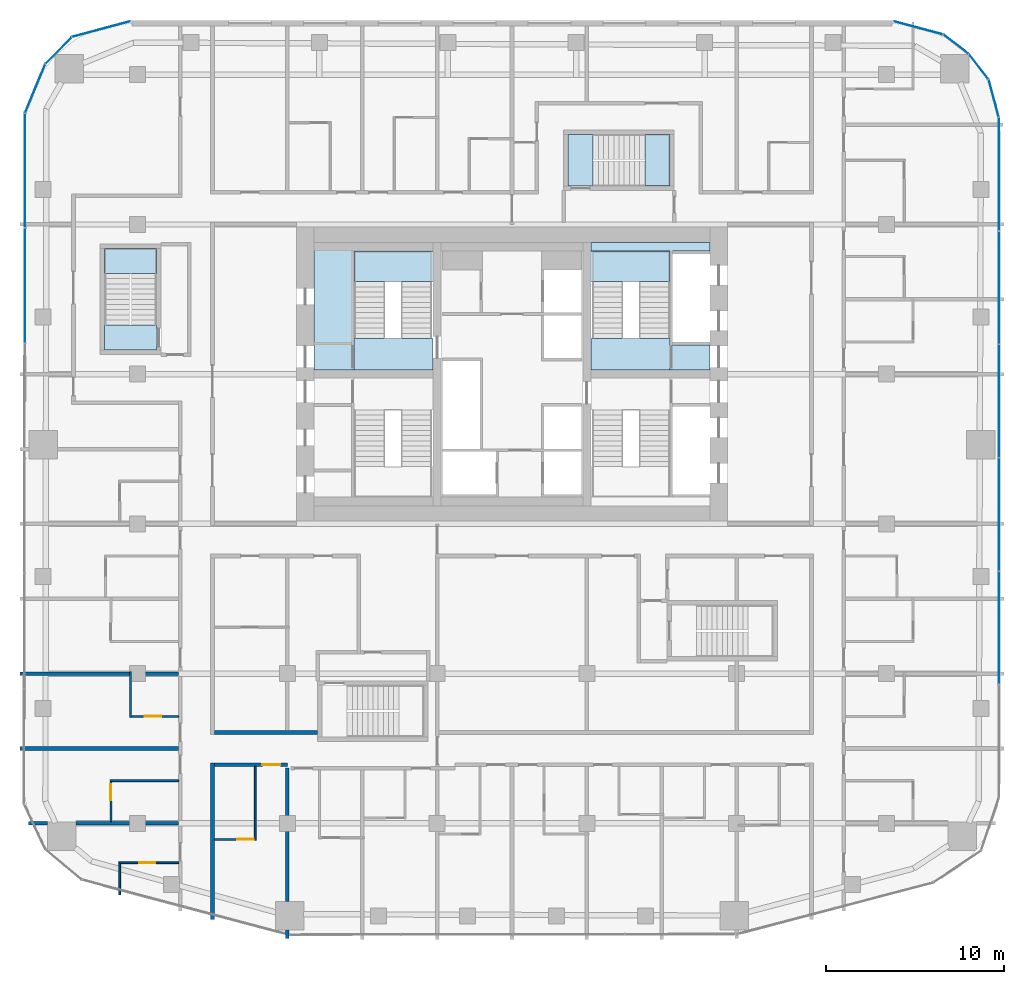
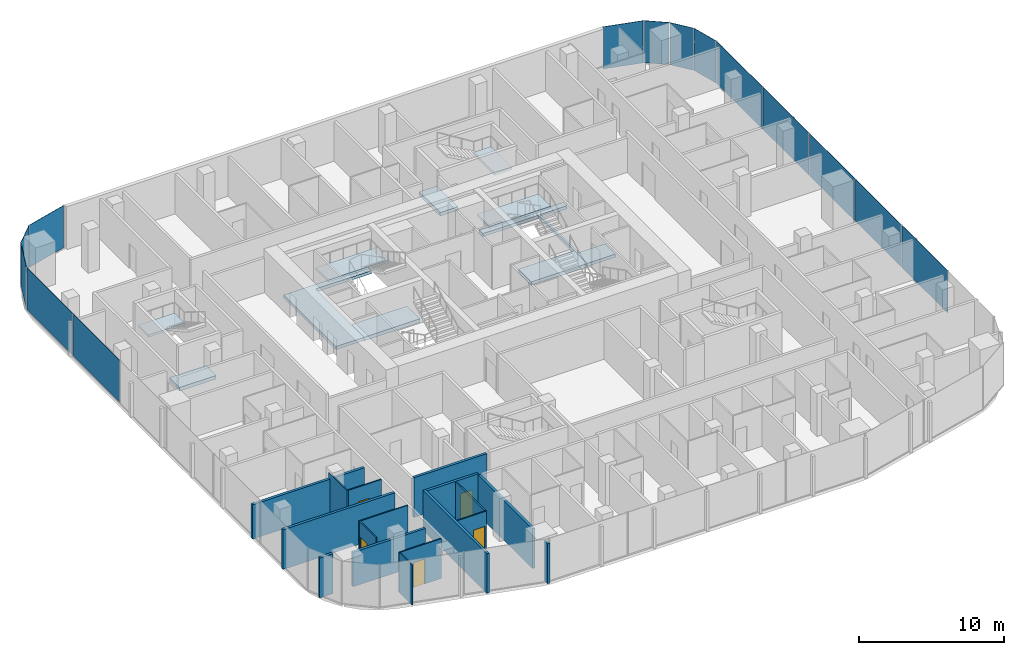
# One storey, part 13 of 23: 17 walls, 14 plates, 10 slabs, 5 doors, 5 openings, 13 elements without a shape of their own.
"""IFC4 building model written with IfcOpenShell, lengths in metres."""

from ifc_helpers import new_model, si_unit, direction, frame, frame_2d, origin, origin_2d, place, context, subcontext, project, spatial, polyline, rectangle, outline, extrude, material, layer, layer_set, type_object, element, fill, aggregate, save


model = new_model("IFC4")

# Units and contexts
model_context = context("Model", 3, precision=1e-05, world=origin(), true_north=direction((0.0, 1.0)))
body_context = subcontext(model_context, "Body", "Model", "MODEL_VIEW")
ifc_project = project(units=[si_unit("LENGTHUNIT", "METRE"), si_unit("AREAUNIT", "SQUARE_METRE"), si_unit("VOLUMEUNIT", "CUBIC_METRE"), si_unit("PLANEANGLEUNIT", "RADIAN"), si_unit("MASSUNIT", "GRAM", prefix="KILO")], contexts=[model_context])

# Site, building, storey
site_placement = place(None, origin())
site = spatial("IfcSite", under=ifc_project, at=site_placement, CompositionType="ELEMENT")
building_placement = place(site_placement, origin())
building = spatial("IfcBuilding", under=site, at=building_placement, Name="Marenta Gate Hotel Tower", CompositionType="ELEMENT")
storey_placement = place(building_placement, frame((0.0, 0.0, 112.10009765625)))
storey = spatial("IfcBuildingStorey", under=building, at=storey_placement, Name="L24", CompositionType="ELEMENT", Elevation=112.10009765625)

# Slabs
ifc_material_1 = material(Name="Concrete C40", Category="concrete")
ifc_layer_1 = layer(ifc_material_1, 0.260009765625)
ifc_layer_set_1 = layer_set([ifc_layer_1], Name="Concrete C40")
slab_type_1 = type_object("IfcSlabType", Name="Core floor slab 260", PredefinedType="FLOOR", material=ifc_layer_set_1)
slab_1_placement = place(storey_placement, frame((0.0, 0.0, -0.260009765625)))
element("IfcSlab", 1, at=slab_1_placement, inside=storey, type_object=slab_type_1, Name="L24-CF-3", PredefinedType="FLOOR", context=body_context, shape_type="SweptSolid", body=[
    extrude(outline(polyline([(8.85009765625, 15.300048828125), (4.425048828125, 15.300048828125), (4.425048828125, 15.800048828125), (11.10009765625, 15.800048828125), (11.10009765625, 15.300048828125), (9.0, 15.300048828125), (9.0, 15.14990234375), (9.0, 12.75), (9.0, 12.60009765625), (9.0, 10.199951171875), (9.0, 10.050048828125), (11.10009765625, 10.050048828125), (11.10009765625, 8.625), (8.85009765625, 8.625), (8.85009765625, 8.699951171875), (8.85009765625, 10.39990234375), (8.85009765625, 15.300048828125)])), origin(), (0.0, 0.0, 1.0), 0.260009765625),
])
slab_2_placement = place(storey_placement, frame((0.0, 0.0, -0.260009765625)))
element("IfcSlab", 2, at=slab_2_placement, inside=storey, type_object=slab_type_1, Name="L24-CF-6", PredefinedType="FLOOR", context=body_context, shape_type="SweptSolid", body=[
    extrude(outline(polyline([(-4.425048828125, 15.300048828125), (-8.85009765625, 15.300048828125), (-8.85009765625, 10.39990234375), (-8.85009765625, 8.699951171875), (-8.85009765625, 8.625), (-11.10009765625, 8.625), (-11.10009765625, 15.800048828125), (-4.425048828125, 15.800048828125), (-4.425048828125, 15.300048828125)])), origin(), (0.0, 0.0, 1.0), 0.260009765625),
])

# Stair, slab
ifc_material_2 = material(Name="Concrete C40", Category="concrete")
stair_type_1 = type_object("IfcStairType", Name="Core exit stair 1700 wide", PredefinedType="HALF_TURN_STAIR", material=ifc_material_2)
stair_1_placement = place(storey_placement, origin())
stair_1 = element("IfcStair", 3, at=stair_1_placement, inside=storey, type_object=stair_type_1, Name="Exit stair 2", PredefinedType="HALF_TURN_STAIR")
ifc_material_3 = material(Name="Concrete C40", Category="concrete")
ifc_layer_2 = layer(ifc_material_3, 0.199951171875)
ifc_layer_set_2 = layer_set([ifc_layer_2], Name="Concrete C40")
slab_type_2 = type_object("IfcSlabType", Name="Core stair landing 200", PredefinedType="LANDING", material=ifc_layer_set_2)
slab_3_placement = place(storey_placement, frame((0.0, 0.0, 1.599853515625)))
slab_3 = element("IfcSlab", 4, at=slab_3_placement, type_object=slab_type_2, Name="SL-200 ST2 landing 1", PredefinedType="LANDING", context=body_context, shape_type="SweptSolid", body=[
    extrude(outline(polyline([(-8.85009765625, 13.590087890625), (-3.97509765625, 13.590087890625), (-3.97509765625, 15.300048828125), (-8.85009765625, 15.300048828125), (-8.85009765625, 13.590087890625)])), origin(), (0.0, 0.0, 1.0), 0.199951171875),
])
aggregate(stair_1, [slab_3])

stair_2_placement = place(storey_placement, origin())
stair_2 = element("IfcStair", 5, at=stair_2_placement, inside=storey, type_object=stair_type_1, Name="Exit stair 4", PredefinedType="HALF_TURN_STAIR")
slab_4_placement = place(storey_placement, frame((0.0, 0.0, 1.599853515625)))
slab_4 = element("IfcSlab", 6, at=slab_4_placement, type_object=slab_type_2, Name="SL-200 ST4 landing 1", PredefinedType="LANDING", context=body_context, shape_type="SweptSolid", body=[
    extrude(outline(polyline([(3.97509765625, 13.590087890625), (8.85009765625, 13.590087890625), (8.85009765625, 15.300048828125), (3.97509765625, 15.300048828125), (3.97509765625, 13.590087890625)])), origin(), (0.0, 0.0, 1.0), 0.199951171875),
])
aggregate(stair_2, [slab_4])

# Curtain wall, plate
ifc_material_4 = material(Name="Tinted insulated glass in bronze anodised frame", Category="glass")
ifc_layer_3 = layer(ifc_material_4, 0.1201171875)
ifc_layer_set_3 = layer_set([ifc_layer_3], Name="Tinted insulated glass in bronze anodised frame")
curtain_wall_type = type_object("IfcCurtainWallType", Name="Tower unitised curtain wall CW1", PredefinedType="NOTDEFINED", material=ifc_layer_set_3)
curtain_wall_1_placement = place(storey_placement, origin())
curtain_wall_1 = element("IfcCurtainWall", 7, at=curtain_wall_1_placement, inside=storey, type_object=curtain_wall_type, Name="CW1 run G00", PredefinedType="NOTDEFINED")
ifc_material_5 = material(Name="Tinted insulated glass", Category="glass")
ifc_layer_4 = layer(ifc_material_5, 0.028076171875)
ifc_layer_set_4 = layer_set([ifc_layer_4], Name="Tinted insulated glass")
plate_type = type_object("IfcPlateType", Name="Glass panel CW1 28 mm tinted insulated unit", PredefinedType="CURTAIN_PANEL", material=ifc_layer_set_4)
plate_1_placement = place(storey_placement, frame((-23.04052734375, 27.759765625, 0.059814453125), z_axis=(0.0, 0.0, 1.0), x_axis=(-0.96593059835, -0.258801234873, 0.0)))
plate_1 = element("IfcPlate", 8, at=plate_1_placement, type_object=plate_type, Name="CW1 panel 1.1", PredefinedType="CURTAIN_PANEL", context=body_context, shape_type="SweptSolid", body=[
    extrude(rectangle(XDim=3.366943359375, YDim=0.028076171875, at=origin_2d()), origin(), (0.0, 0.0, 1.0), 3.5400390625),
])
aggregate(curtain_wall_1, [plate_1])

curtain_wall_2_placement = place(storey_placement, origin())
curtain_wall_2 = element("IfcCurtainWall", 9, at=curtain_wall_2_placement, inside=storey, type_object=curtain_wall_type, Name="CW1 run G01", PredefinedType="NOTDEFINED")
plate_2_placement = place(storey_placement, frame((-25.440673828125, 26.550048828125, 0.059814453125), z_axis=(0.0, 0.0, 1.0), x_axis=(-0.707106781187, -0.707106781187, 0.0)))
plate_2 = element("IfcPlate", 10, at=plate_2_placement, type_object=plate_type, Name="CW1 panel 1.1", PredefinedType="CURTAIN_PANEL", context=body_context, shape_type="SweptSolid", body=[
    extrude(rectangle(XDim=2.069091796875, YDim=0.028076171875, at=origin_2d()), origin(), (0.0, 0.0, 1.0), 3.5400390625),
])
aggregate(curtain_wall_2, [plate_2])

curtain_wall_3_placement = place(storey_placement, origin())
curtain_wall_3 = element("IfcCurtainWall", 11, at=curtain_wall_3_placement, inside=storey, type_object=curtain_wall_type, Name="CW1 run G02", PredefinedType="NOTDEFINED")
plate_3_placement = place(storey_placement, frame((-26.75390625, 24.41455078125, 0.059814453125), z_axis=(0.0, 0.0, 1.0), x_axis=(-0.382671975111, -0.923884278178, 0.0)))
plate_3 = element("IfcPlate", 12, at=plate_3_placement, type_object=plate_type, Name="CW1 panel 1.1", PredefinedType="CURTAIN_PANEL", context=body_context, shape_type="SweptSolid", body=[
    extrude(rectangle(XDim=2.919189453125, YDim=0.028076171875, at=origin_2d()), origin(), (0.0, 0.0, 1.0), 3.5400390625),
])
aggregate(curtain_wall_3, [plate_3])

# Curtain wall, plates
curtain_wall_4_placement = place(storey_placement, origin())
curtain_wall_4 = element("IfcCurtainWall", 13, at=curtain_wall_4_placement, inside=storey, type_object=curtain_wall_type, Name="CW1 run G03", PredefinedType="NOTDEFINED")
plate_4_placement = place(storey_placement, frame((-27.3173828125, 19.8212890625, 0.059814453125), z_axis=(0.0, 0.0, 1.0), x_axis=(-0.001566045546, -0.99999877375, 0.0)))
plate_4 = element("IfcPlate", 14, at=plate_4_placement, type_object=plate_type, Name="CW1 panel 1.1", PredefinedType="CURTAIN_PANEL", context=body_context, shape_type="SweptSolid", body=[
    extrude(rectangle(XDim=6.3701171875, YDim=0.028076171875, at=origin_2d()), origin(), (0.0, 0.0, 1.0), 3.5400390625),
])
plate_5_placement = place(storey_placement, frame((-27.327392578125, 13.376220703125, 0.059814453125), z_axis=(0.0, 0.0, 1.0), x_axis=(-0.001566045546, -0.99999877375, 0.0)))
plate_5 = element("IfcPlate", 15, at=plate_5_placement, type_object=plate_type, Name="CW1 panel 2.1", PredefinedType="CURTAIN_PANEL", context=body_context, shape_type="SweptSolid", body=[
    extrude(rectangle(XDim=6.39990234375, YDim=0.028076171875, at=origin_2d()), origin(), (0.0, 0.0, 1.0), 3.5400390625),
])
aggregate(curtain_wall_4, [plate_4, plate_5])

curtain_wall_5_placement = place(storey_placement, origin())
curtain_wall_5 = element("IfcCurtainWall", 16, at=curtain_wall_5_placement, inside=storey, type_object=curtain_wall_type, Name="CW1 run G11", PredefinedType="NOTDEFINED")
plate_6_placement = place(storey_placement, frame((27.31396484375, -5.828125, 0.059814453125), z_axis=(0.0, 0.0, 1.0), x_axis=(0.0, 1.0, 0.0)))
plate_6 = element("IfcPlate", 17, at=plate_6_placement, type_object=plate_type, Name="CW1 panel 2.1", PredefinedType="CURTAIN_PANEL", context=body_context, shape_type="SweptSolid", body=[
    extrude(rectangle(XDim=6.300048828125, YDim=0.028076171875, at=origin_2d()), origin(), (0.0, 0.0, 1.0), 3.5400390625),
])
plate_7_placement = place(storey_placement, frame((27.31396484375, 0.531982421875, 0.059814453125), z_axis=(0.0, 0.0, 1.0), x_axis=(0.0, 1.0, 0.0)))
plate_7 = element("IfcPlate", 18, at=plate_7_placement, type_object=plate_type, Name="CW1 panel 3.1", PredefinedType="CURTAIN_PANEL", context=body_context, shape_type="SweptSolid", body=[
    extrude(rectangle(XDim=6.300048828125, YDim=0.028076171875, at=origin_2d()), origin(), (0.0, 0.0, 1.0), 3.5400390625),
])
plate_8_placement = place(storey_placement, frame((27.31396484375, 6.891845703125, 0.059814453125), z_axis=(0.0, 0.0, 1.0), x_axis=(0.0, 1.0, 0.0)))
plate_8 = element("IfcPlate", 19, at=plate_8_placement, type_object=plate_type, Name="CW1 panel 4.1", PredefinedType="CURTAIN_PANEL", context=body_context, shape_type="SweptSolid", body=[
    extrude(rectangle(XDim=6.300048828125, YDim=0.028076171875, at=origin_2d()), origin(), (0.0, 0.0, 1.0), 3.5400390625),
])
plate_9_placement = place(storey_placement, frame((27.31396484375, 13.251953125, 0.059814453125), z_axis=(0.0, 0.0, 1.0), x_axis=(0.0, 1.0, 0.0)))
plate_9 = element("IfcPlate", 20, at=plate_9_placement, type_object=plate_type, Name="CW1 panel 5.1", PredefinedType="CURTAIN_PANEL", context=body_context, shape_type="SweptSolid", body=[
    extrude(rectangle(XDim=6.300048828125, YDim=0.028076171875, at=origin_2d()), origin(), (0.0, 0.0, 1.0), 3.5400390625),
])
plate_10_placement = place(storey_placement, frame((27.31396484375, 19.626953125, 0.059814453125), z_axis=(0.0, 0.0, 1.0), x_axis=(0.0, 1.0, 0.0)))
plate_10 = element("IfcPlate", 21, at=plate_10_placement, type_object=plate_type, Name="CW1 panel 6.1", PredefinedType="CURTAIN_PANEL", context=body_context, shape_type="SweptSolid", body=[
    extrude(rectangle(XDim=6.330078125, YDim=0.028076171875, at=origin_2d()), origin(), (0.0, 0.0, 1.0), 3.5400390625),
])
aggregate(curtain_wall_5, [plate_6, plate_7, plate_8, plate_9, plate_10])

# Curtain wall, plate
curtain_wall_6_placement = place(storey_placement, origin())
curtain_wall_6 = element("IfcCurtainWall", 22, at=curtain_wall_6_placement, inside=storey, type_object=curtain_wall_type, Name="CW1 run G12", PredefinedType="NOTDEFINED")
plate_11_placement = place(storey_placement, frame((27.022216796875, 23.880615234375, 0.059814453125), z_axis=(0.0, 0.0, 1.0), x_axis=(-0.258822651658, 0.965924859908, 0.0)))
plate_11 = element("IfcPlate", 23, at=plate_11_placement, type_object=plate_type, Name="CW1 panel 1.1", PredefinedType="CURTAIN_PANEL", context=body_context, shape_type="SweptSolid", body=[
    extrude(rectangle(XDim=2.13427734375, YDim=0.028076171875, at=origin_2d()), origin(), (0.0, 0.0, 1.0), 3.5400390625),
])
aggregate(curtain_wall_6, [plate_11])

curtain_wall_7_placement = place(storey_placement, origin())
curtain_wall_7 = element("IfcCurtainWall", 24, at=curtain_wall_7_placement, inside=storey, type_object=curtain_wall_type, Name="CW1 run G13", PredefinedType="NOTDEFINED")
plate_12_placement = place(storey_placement, frame((26.177490234375, 25.652099609375, 0.059814453125), z_axis=(0.0, 0.0, 1.0), x_axis=(-0.608796116694, 0.793326722289, 0.0)))
plate_12 = element("IfcPlate", 25, at=plate_12_placement, type_object=plate_type, Name="CW1 panel 1.1", PredefinedType="CURTAIN_PANEL", context=body_context, shape_type="SweptSolid", body=[
    extrude(rectangle(XDim=1.747802734375, YDim=0.028076171875, at=origin_2d()), origin(), (0.0, 0.0, 1.0), 3.5400390625),
])
aggregate(curtain_wall_7, [plate_12])

curtain_wall_8_placement = place(storey_placement, origin())
curtain_wall_8 = element("IfcCurtainWall", 26, at=curtain_wall_8_placement, inside=storey, type_object=curtain_wall_type, Name="CW1 run G14", PredefinedType="NOTDEFINED")
plate_13_placement = place(storey_placement, frame((24.904541015625, 26.9140625, 0.059814453125), z_axis=(0.0, 0.0, 1.0), x_axis=(-0.793326722289, 0.608796116694, 0.0)))
plate_13 = element("IfcPlate", 27, at=plate_13_placement, type_object=plate_type, Name="CW1 panel 1.1", PredefinedType="CURTAIN_PANEL", context=body_context, shape_type="SweptSolid", body=[
    extrude(rectangle(XDim=1.747802734375, YDim=0.028076171875, at=origin_2d()), origin(), (0.0, 0.0, 1.0), 3.5400390625),
])
aggregate(curtain_wall_8, [plate_13])

curtain_wall_9_placement = place(storey_placement, origin())
curtain_wall_9 = element("IfcCurtainWall", 28, at=curtain_wall_9_placement, inside=storey, type_object=curtain_wall_type, Name="CW1 run G15", PredefinedType="NOTDEFINED")
plate_14_placement = place(storey_placement, frame((22.783935546875, 27.82861328125, 0.059814453125), z_axis=(0.0, 0.0, 1.0), x_axis=(-0.965929324305, 0.258805989975, 0.0)))
plate_14 = element("IfcPlate", 29, at=plate_14_placement, type_object=plate_type, Name="CW1 panel 1.1", PredefinedType="CURTAIN_PANEL", context=body_context, shape_type="SweptSolid", body=[
    extrude(rectangle(XDim=2.83544921875, YDim=0.028076171875, at=origin_2d()), origin(), (0.0, 0.0, 1.0), 3.5400390625),
])
aggregate(curtain_wall_9, [plate_14])

# Stair, slab
ifc_material_6 = material(Name="Concrete C40", Category="concrete")
stair_type_2 = type_object("IfcStairType", Name="Remote exit stair 1400 wide", PredefinedType="HALF_TURN_STAIR", material=ifc_material_6)
stair_3_placement = place(storey_placement, origin())
stair_3 = element("IfcStair", 30, at=stair_3_placement, inside=storey, type_object=stair_type_2, Name="Exit stair RS-Z1-3", PredefinedType="HALF_TURN_STAIR")
ifc_material_7 = material(Name="Concrete C40", Category="concrete")
ifc_layer_5 = layer(ifc_material_7, 0.199951171875)
ifc_layer_set_5 = layer_set([ifc_layer_5], Name="Concrete C40")
slab_type_3 = type_object("IfcSlabType", Name="Remote stair landing 200", PredefinedType="LANDING", material=ifc_layer_set_5)
slab_5_placement = place(storey_placement, frame((0.0, 0.0, 1.599853515625)))
slab_5 = element("IfcSlab", 31, at=slab_5_placement, type_object=slab_type_3, Name="RL-200 RS-Z1-3 landing 1", PredefinedType="LANDING", context=body_context, shape_type="SweptSolid", body=[
    extrude(outline(polyline([(-22.85009765625, 14.050048828125), (-19.949951171875, 14.050048828125), (-19.949951171875, 15.449951171875), (-22.85009765625, 15.449951171875), (-22.85009765625, 14.050048828125)])), origin(), (0.0, 0.0, 1.0), 0.199951171875),
])
aggregate(stair_3, [slab_5])

stair_4_placement = place(storey_placement, origin())
stair_4 = element("IfcStair", 32, at=stair_4_placement, inside=storey, type_object=stair_type_2, Name="Exit stair RS-Z2-4", PredefinedType="HALF_TURN_STAIR")
slab_6_placement = place(storey_placement, frame((0.0, 0.0, 1.599853515625)))
slab_6 = element("IfcSlab", 33, at=slab_6_placement, type_object=slab_type_3, Name="RL-200 RS-Z2-4 landing 1", PredefinedType="LANDING", context=body_context, shape_type="SweptSolid", body=[
    extrude(outline(polyline([(7.449951171875, 18.949951171875), (8.85009765625, 18.949951171875), (8.85009765625, 21.85009765625), (7.449951171875, 21.85009765625), (7.449951171875, 18.949951171875)])), origin(), (0.0, 0.0, 1.0), 0.199951171875),
])
aggregate(stair_4, [slab_6])

# Slabs
ifc_material_8 = material(Name="Concrete C40", Category="concrete")
ifc_layer_6 = layer(ifc_material_8, 0.300048828125)
ifc_layer_set_6 = layer_set([ifc_layer_6], Name="Concrete C40")
slab_type_4 = type_object("IfcSlabType", Name="Stair floor landing slab 300", PredefinedType="FLOOR", material=ifc_layer_set_6)
slab_7_placement = place(storey_placement, frame((0.0, 0.0, -0.300048828125)))
element("IfcSlab", 34, at=slab_7_placement, inside=storey, type_object=slab_type_4, Name="L24-CL-ST2-1", PredefinedType="FLOOR", context=body_context, shape_type="SweptSolid", body=[
    extrude(outline(polyline([(-4.425048828125, 8.625), (-8.85009765625, 8.625), (-8.85009765625, 8.699951171875), (-8.85009765625, 10.39990234375), (-4.425048828125, 10.39990234375), (-4.425048828125, 8.625)])), origin(), (0.0, 0.0, 1.0), 0.300048828125),
])
slab_8_placement = place(storey_placement, frame((0.0, 0.0, -0.300048828125)))
element("IfcSlab", 35, at=slab_8_placement, inside=storey, type_object=slab_type_4, Name="L24-CL-ST4-1", PredefinedType="FLOOR", context=body_context, shape_type="SweptSolid", body=[
    extrude(outline(polyline([(4.425048828125, 8.625), (4.425048828125, 10.39990234375), (8.85009765625, 10.39990234375), (8.85009765625, 8.699951171875), (8.85009765625, 8.625), (4.425048828125, 8.625)])), origin(), (0.0, 0.0, 1.0), 0.300048828125),
])
slab_9_placement = place(storey_placement, frame((0.0, 0.0, -0.300048828125)))
element("IfcSlab", 36, at=slab_9_placement, inside=storey, type_object=slab_type_4, Name="L24-RS-Z1-3-CL", PredefinedType="FLOOR", context=body_context, shape_type="SweptSolid", body=[
    extrude(outline(polyline([(-19.949951171875, 9.75), (-19.949951171875, 11.14990234375), (-22.85009765625, 11.14990234375), (-22.85009765625, 9.75), (-19.949951171875, 9.75)])), origin(), (0.0, 0.0, 1.0), 0.300048828125),
])
slab_10_placement = place(storey_placement, frame((0.0, 0.0, -0.300048828125)))
element("IfcSlab", 37, at=slab_10_placement, inside=storey, type_object=slab_type_4, Name="L24-RS-Z2-4-CL", PredefinedType="FLOOR", context=body_context, shape_type="SweptSolid", body=[
    extrude(outline(polyline([(4.550048828125, 18.949951171875), (4.550048828125, 21.85009765625), (3.14990234375, 21.85009765625), (3.14990234375, 18.949951171875), (4.550048828125, 18.949951171875)])), origin(), (0.0, 0.0, 1.0), 0.300048828125),
])

# Wall
ifc_material_9 = material(Name="Concrete blockwork", Category="masonry")
ifc_layer_7 = layer(ifc_material_9, 0.199951171875)
ifc_layer_set_7 = layer_set([ifc_layer_7], Name="Concrete blockwork")
wall_type_1 = type_object("IfcWallType", Name="Room corridor wall 200 EI 120", PredefinedType="PARTITIONING", material=ifc_layer_set_7)
wall_1_placement = place(storey_placement, frame((-16.699951171875, -11.699951171875, 0.0), z_axis=(0.0, 0.0, 1.0), x_axis=(1.0, 0.0, 0.0)))
element("IfcWall", 38, at=wall_1_placement, inside=storey, type_object=wall_type_1, Name="L24-PTN-W037", PredefinedType="PARTITIONING", context=body_context, shape_type="SweptSolid", body=[
    extrude(rectangle(XDim=5.800048828125, YDim=0.199951171875, at=frame_2d((2.89990234375, 0.0))), origin(), (0.0, 0.0, 1.0), 3.33984375),
])

# Wall, opening, door
ifc_material_10 = material(Name="Gypsum board on steel stud", Category="steel")
ifc_layer_8 = layer(ifc_material_10, 0.199951171875)
ifc_layer_set_8 = layer_set([ifc_layer_8], Name="Gypsum board on steel stud")
wall_type_2 = type_object("IfcWallType", Name="Room corridor wall 200 EI 60", PredefinedType="PARTITIONING", material=ifc_layer_set_8)
wall_2_placement = place(storey_placement, frame((-16.699951171875, -13.5, 0.0), z_axis=(0.0, 0.0, 1.0), x_axis=(1.0, 0.0, 0.0)))
wall_2 = element("IfcWall", 39, at=wall_2_placement, inside=storey, type_object=wall_type_2, Name="L24-PTN-W029", PredefinedType="PARTITIONING", context=body_context, shape_type="SweptSolid", body=[
    extrude(rectangle(XDim=4.099853515625, YDim=0.199951171875, at=frame_2d((2.0498046875, 0.0))), origin(), (0.0, 0.0, 1.0), 3.33984375),
])
opening_1_placement = place(wall_2_placement, frame((2.699951171875, 0.0, 0.0)))
opening_1 = element("IfcOpeningElement", 40, at=opening_1_placement, cuts=wall_2, Name="Opening G08-37", PredefinedType="OPENING", context=body_context, shape_type="SweptSolid", body=[
    extrude(rectangle(XDim=1.0, YDim=2.10009765625, at=frame_2d((0.5, 1.050048828125))), frame((0.0, 0.10009765625, 0.0), z_axis=(0.0, -1.0, 0.0), x_axis=(1.0, 0.0, 0.0)), (0.0, 0.0, 1.0), 0.199951171875),
])
ifc_material_11 = material(Name="Timber door leaf", Category="wood")
door_type_1 = type_object("IfcDoorType", Name="Guest room door 1000x2100 EI 30", OperationType="NOTDEFINED", PredefinedType="DOOR", material=ifc_material_11)
door_1_placement = place(opening_1_placement, origin())
door_1 = element("IfcDoor", 41, at=door_1_placement, inside=storey, type_object=door_type_1, Name="L24-PD-D037", OperationType="SINGLE_SWING_LEFT", OverallHeight=2.10009765625, OverallWidth=1.0, PredefinedType="DOOR", context=body_context, shape_type="SweptSolid", body=[
    extrude(rectangle(XDim=1.0, YDim=2.10009765625, at=frame_2d((0.5, 1.050048828125))), frame((0.0, 0.02490234375, 0.0), z_axis=(0.0, -1.0, 0.0), x_axis=(1.0, 0.0, 0.0)), (0.0, 0.0, 1.0), 0.050048828125),
])
fill(opening_1, door_1)

# Wall
wall_3_placement = place(storey_placement, frame((-16.800048828125, -22.18603515625, 0.0), z_axis=(0.0, 0.0, 1.0), x_axis=(0.0, 1.0, 0.0)))
element("IfcWall", 42, at=wall_3_placement, inside=storey, type_object=wall_type_2, Name="L24-PTN-W103", PredefinedType="PARTITIONING", context=body_context, shape_type="SweptSolid", body=[
    extrude(rectangle(XDim=8.7861328125, YDim=0.199951171875, at=frame_2d((4.39306640625, 0.0))), origin(), (0.0, 0.0, 1.0), 3.33984375),
])

# Wall, opening, door
ifc_material_12 = material(Name="Gypsum board on steel stud", Category="steel")
ifc_layer_9 = layer(ifc_material_12, 0.10009765625)
ifc_layer_set_9 = layer_set([ifc_layer_9], Name="Gypsum board on steel stud")
wall_type_3 = type_object("IfcWallType", Name="Room partition 100", PredefinedType="PARTITIONING", material=ifc_layer_set_9)
wall_4_placement = place(storey_placement, frame((-22.050048828125, -19.008056640625, 0.0), z_axis=(0.0, 0.0, 1.0), x_axis=(1.0, 0.0, 0.0)))
wall_4 = element("IfcWall", 43, at=wall_4_placement, inside=storey, type_object=wall_type_3, Name="L24-PTN-W009", PredefinedType="PARTITIONING", context=body_context, shape_type="SweptSolid", body=[
    extrude(rectangle(XDim=3.35009765625, YDim=0.10009765625, at=frame_2d((1.675048828125, 0.0))), origin(), (0.0, 0.0, 1.0), 3.33984375),
])
opening_2_placement = place(wall_4_placement, frame((1.1298828125, 0.0, 0.0)))
opening_2 = element("IfcOpeningElement", 44, at=opening_2_placement, cuts=wall_4, Name="Opening G08-54", PredefinedType="OPENING", context=body_context, shape_type="SweptSolid", body=[
    extrude(rectangle(XDim=0.89990234375, YDim=2.10009765625, at=frame_2d((0.449951171875, 1.050048828125))), frame((0.0, 0.050048828125, 0.0), z_axis=(0.0, -1.0, 0.0), x_axis=(1.0, 0.0, 0.0)), (0.0, 0.0, 1.0), 0.10009765625),
])
ifc_material_13 = material(Name="Timber door leaf", Category="wood")
door_type_2 = type_object("IfcDoorType", Name="Guest bathroom door 900x2100", OperationType="NOTDEFINED", PredefinedType="DOOR", material=ifc_material_13)
door_2_placement = place(opening_2_placement, origin())
door_2 = element("IfcDoor", 45, at=door_2_placement, inside=storey, type_object=door_type_2, Name="L24-PD-D054", OperationType="SINGLE_SWING_LEFT", OverallHeight=2.10009765625, OverallWidth=0.89990234375, PredefinedType="DOOR", context=body_context, shape_type="SweptSolid", body=[
    extrude(rectangle(XDim=0.89990234375, YDim=2.10009765625, at=frame_2d((0.449951171875, 1.050048828125))), frame((0.0, 0.02490234375, 0.0), z_axis=(0.0, -1.0, 0.0), x_axis=(1.0, 0.0, 0.0)), (0.0, 0.0, 1.0), 0.050048828125),
])
fill(opening_2, door_2)

wall_5_placement = place(storey_placement, frame((-16.699951171875, -17.699951171875, 0.0), z_axis=(0.0, 0.0, 1.0), x_axis=(1.0, 0.0, 0.0)))
wall_5 = element("IfcWall", 46, at=wall_5_placement, inside=storey, type_object=wall_type_3, Name="L24-PTN-W011", PredefinedType="PARTITIONING", context=body_context, shape_type="SweptSolid", body=[
    extrude(rectangle(XDim=2.349853515625, YDim=0.10009765625, at=frame_2d((1.1748046875, 0.0))), origin(), (0.0, 0.0, 1.0), 3.33984375),
])
opening_3_placement = place(wall_5_placement, frame((1.300048828125, 0.0, 0.0)))
opening_3 = element("IfcOpeningElement", 47, at=opening_3_placement, cuts=wall_5, Name="Opening G08-38", PredefinedType="OPENING", context=body_context, shape_type="SweptSolid", body=[
    extrude(rectangle(XDim=0.89990234375, YDim=2.10009765625, at=frame_2d((0.449951171875, 1.050048828125))), frame((0.0, 0.050048828125, 0.0), z_axis=(0.0, -1.0, 0.0), x_axis=(1.0, 0.0, 0.0)), (0.0, 0.0, 1.0), 0.10009765625),
])
door_3_placement = place(opening_3_placement, origin())
door_3 = element("IfcDoor", 48, at=door_3_placement, inside=storey, type_object=door_type_2, Name="L24-PD-D038", OperationType="SINGLE_SWING_RIGHT", OverallHeight=2.10009765625, OverallWidth=0.89990234375, PredefinedType="DOOR", context=body_context, shape_type="SweptSolid", body=[
    extrude(rectangle(XDim=0.89990234375, YDim=2.10009765625, at=frame_2d((0.449951171875, 1.050048828125))), frame((0.0, 0.02490234375, 0.0), z_axis=(0.0, -1.0, 0.0), x_axis=(1.0, 0.0, 0.0)), (0.0, 0.0, 1.0), 0.050048828125),
])
fill(opening_3, door_3)

# Wall
wall_6_placement = place(storey_placement, frame((-22.550048828125, -14.39990234375, 0.0), z_axis=(0.0, 0.0, 1.0), x_axis=(1.0, 0.0, 0.0)))
element("IfcWall", 49, at=wall_6_placement, inside=storey, type_object=wall_type_3, Name="L24-PTN-W026", PredefinedType="PARTITIONING", context=body_context, shape_type="SweptSolid", body=[
    extrude(rectangle(XDim=3.85009765625, YDim=0.10009765625, at=frame_2d((1.925048828125, 0.0))), origin(), (0.0, 0.0, 1.0), 3.33984375),
])

# Wall, opening, door
wall_7_placement = place(storey_placement, frame((-21.35009765625, -10.800048828125, 0.0), z_axis=(0.0, 0.0, 1.0), x_axis=(1.0, 0.0, 0.0)))
wall_7 = element("IfcWall", 50, at=wall_7_placement, inside=storey, type_object=wall_type_3, Name="L24-PTN-W040", PredefinedType="PARTITIONING", context=body_context, shape_type="SweptSolid", body=[
    extrude(rectangle(XDim=2.650146484375, YDim=0.10009765625, at=frame_2d((1.3251953125, 0.0))), origin(), (0.0, 0.0, 1.0), 3.33984375),
])
opening_4_placement = place(wall_7_placement, frame((0.760009765625, 0.0, 0.0)))
opening_4 = element("IfcOpeningElement", 51, at=opening_4_placement, cuts=wall_7, Name="Opening G08-58", PredefinedType="OPENING", context=body_context, shape_type="SweptSolid", body=[
    extrude(rectangle(XDim=0.89990234375, YDim=2.10009765625, at=frame_2d((0.449951171875, 1.050048828125))), frame((0.0, 0.050048828125, 0.0), z_axis=(0.0, -1.0, 0.0), x_axis=(1.0, 0.0, 0.0)), (0.0, 0.0, 1.0), 0.10009765625),
])
door_4_placement = place(opening_4_placement, origin())
door_4 = element("IfcDoor", 52, at=door_4_placement, inside=storey, type_object=door_type_2, Name="L24-PD-D058", OperationType="SINGLE_SWING_LEFT", OverallHeight=2.10009765625, OverallWidth=0.89990234375, PredefinedType="DOOR", context=body_context, shape_type="SweptSolid", body=[
    extrude(rectangle(XDim=0.89990234375, YDim=2.10009765625, at=frame_2d((0.449951171875, 1.050048828125))), frame((0.0, 0.02490234375, 0.0), z_axis=(0.0, -1.0, 0.0), x_axis=(1.0, 0.0, 0.0)), (0.0, 0.0, 1.0), 0.050048828125),
])
fill(opening_4, door_4)

# Walls
wall_8_placement = place(storey_placement, frame((-14.39990234375, -17.64990234375, 0.0), z_axis=(0.0, 0.0, 1.0), x_axis=(0.0, 1.0, 0.0)))
element("IfcWall", 53, at=wall_8_placement, inside=storey, type_object=wall_type_3, Name="L24-PTN-W100", PredefinedType="PARTITIONING", context=body_context, shape_type="SweptSolid", body=[
    extrude(rectangle(XDim=4.0498046875, YDim=0.10009765625, at=frame_2d((2.02490234375, 0.0))), origin(), (0.0, 0.0, 1.0), 3.33984375),
])
wall_9_placement = place(storey_placement, frame((-21.39990234375, -10.85009765625, 0.0), z_axis=(0.0, 0.0, 1.0), x_axis=(0.0, 1.0, 0.0)))
element("IfcWall", 54, at=wall_9_placement, inside=storey, type_object=wall_type_3, Name="L24-PTN-W115", PredefinedType="PARTITIONING", context=body_context, shape_type="SweptSolid", body=[
    extrude(rectangle(XDim=2.550048828125, YDim=0.10009765625, at=frame_2d((1.27490234375, 0.0))), origin(), (0.0, 0.0, 1.0), 3.33984375),
])
wall_10_placement = place(storey_placement, frame((-22.0, -20.805908203125, 0.0), z_axis=(0.0, 0.0, 1.0), x_axis=(0.0, 1.0, 0.0)))
element("IfcWall", 55, at=wall_10_placement, inside=storey, type_object=wall_type_3, Name="L24-PTN-W119", PredefinedType="PARTITIONING", context=body_context, shape_type="SweptSolid", body=[
    extrude(rectangle(XDim=1.747802734375, YDim=0.10009765625, at=frame_2d((0.8740234375, 0.0))), origin(), (0.0, 0.0, 1.0), 3.33984375),
])

# Wall, opening, door
wall_11_placement = place(storey_placement, frame((-22.5, -16.699951171875, 0.0), z_axis=(0.0, 0.0, 1.0), x_axis=(0.0, 1.0, 0.0)))
wall_11 = element("IfcWall", 56, at=wall_11_placement, inside=storey, type_object=wall_type_3, Name="L24-PTN-W122", PredefinedType="PARTITIONING", context=body_context, shape_type="SweptSolid", body=[
    extrude(rectangle(XDim=2.25, YDim=0.10009765625, at=frame_2d((1.125, 0.0))), origin(), (0.0, 0.0, 1.0), 3.33984375),
])
opening_5_placement = place(wall_11_placement, frame((1.199951171875, 0.0, 0.0)))
opening_5 = element("IfcOpeningElement", 57, at=opening_5_placement, cuts=wall_11, Name="Opening G08-56", PredefinedType="OPENING", context=body_context, shape_type="SweptSolid", body=[
    extrude(rectangle(XDim=0.89990234375, YDim=2.10009765625, at=frame_2d((0.449951171875, 1.050048828125))), frame((0.0, 0.050048828125, 0.0), z_axis=(0.0, -1.0, 0.0), x_axis=(1.0, 0.0, 0.0)), (0.0, 0.0, 1.0), 0.10009765625),
])
door_5_placement = place(opening_5_placement, origin())
door_5 = element("IfcDoor", 58, at=door_5_placement, inside=storey, type_object=door_type_2, Name="L24-PD-D056", OperationType="SINGLE_SWING_LEFT", OverallHeight=2.10009765625, OverallWidth=0.89990234375, PredefinedType="DOOR", context=body_context, shape_type="SweptSolid", body=[
    extrude(rectangle(XDim=0.89990234375, YDim=2.10009765625, at=frame_2d((0.449951171875, 1.050048828125))), frame((0.0, 0.02490234375, 0.0), z_axis=(0.0, -1.0, 0.0), x_axis=(1.0, 0.0, 0.0)), (0.0, 0.0, 1.0), 0.050048828125),
])
fill(opening_5, door_5)

# Walls
ifc_material_14 = material(Name="Gypsum board on steel stud", Category="steel")
ifc_layer_10 = layer(ifc_material_14, 0.199951171875)
ifc_layer_set_10 = layer_set([ifc_layer_10], Name="Gypsum board on steel stud")
wall_type_4 = type_object("IfcWallType", Name="Room party wall 200 EI 60", PredefinedType="PARTITIONING", material=ifc_layer_set_10)
wall_12_placement = place(storey_placement, frame((-27.112060546875, -16.800048828125, 0.0), z_axis=(0.0, 0.0, 1.0), x_axis=(1.0, 0.0, 0.0)))
element("IfcWall", 59, at=wall_12_placement, inside=storey, type_object=wall_type_4, Name="L24-PTN-W019", PredefinedType="PARTITIONING", context=body_context, shape_type="SweptSolid", body=[
    extrude(rectangle(XDim=1.049072265625, YDim=0.199951171875, at=frame_2d((0.5244140625, 0.0))), origin(), (0.0, 0.0, 1.0), 3.33984375),
])
wall_13_placement = place(storey_placement, frame((-24.462890625, -16.800048828125, 0.0), z_axis=(0.0, 0.0, 1.0), x_axis=(1.0, 0.0, 0.0)))
element("IfcWall", 60, at=wall_13_placement, inside=storey, type_object=wall_type_4, Name="L24-PTN-W130", PredefinedType="PARTITIONING", context=body_context, shape_type="SweptSolid", body=[
    extrude(rectangle(XDim=5.762939453125, YDim=0.199951171875, at=frame_2d((2.88134765625, 0.0))), origin(), (0.0, 0.0, 1.0), 2.889892578125),
])
wall_14_placement = place(storey_placement, frame((-27.60009765625, -12.60009765625, 0.0), z_axis=(0.0, 0.0, 1.0), x_axis=(1.0, 0.0, 0.0)))
element("IfcWall", 61, at=wall_14_placement, inside=storey, type_object=wall_type_4, Name="L24-PTN-W035", PredefinedType="PARTITIONING", context=body_context, shape_type="SweptSolid", body=[
    extrude(rectangle(XDim=8.900146484375, YDim=0.199951171875, at=frame_2d((4.4501953125, 0.0))), origin(), (0.0, 0.0, 1.0), 3.33984375),
])
wall_15_placement = place(storey_placement, frame((-27.60009765625, -8.39990234375, 0.0), z_axis=(0.0, 0.0, 1.0), x_axis=(1.0, 0.0, 0.0)))
element("IfcWall", 62, at=wall_15_placement, inside=storey, type_object=wall_type_4, Name="L24-PTN-W046", PredefinedType="PARTITIONING", context=body_context, shape_type="SweptSolid", body=[
    extrude(rectangle(XDim=8.900146484375, YDim=0.199951171875, at=frame_2d((4.4501953125, 0.0))), origin(), (0.0, 0.0, 1.0), 2.889892578125),
])
wall_16_placement = place(storey_placement, frame((-12.60009765625, -23.26611328125, 0.0), z_axis=(0.0, 0.0, 1.0), x_axis=(0.0, 1.0, 0.0)))
element("IfcWall", 63, at=wall_16_placement, inside=storey, type_object=wall_type_4, Name="L24-PTN-W096", PredefinedType="PARTITIONING", context=body_context, shape_type="SweptSolid", body=[
    extrude(rectangle(XDim=0.4912109375, YDim=0.199951171875, at=frame_2d((0.24560546875, 0.0))), origin(), (0.0, 0.0, 1.0), 3.33984375),
])
wall_17_placement = place(storey_placement, frame((-12.60009765625, -21.175048828125, 0.0), z_axis=(0.0, 0.0, 1.0), x_axis=(0.0, 1.0, 0.0)))
element("IfcWall", 64, at=wall_17_placement, inside=storey, type_object=wall_type_4, Name="L24-PTN-W134", PredefinedType="PARTITIONING", context=body_context, shape_type="SweptSolid", body=[
    extrude(rectangle(XDim=7.47509765625, YDim=0.199951171875, at=frame_2d((3.737548828125, 0.0))), origin(), (0.0, 0.0, 1.0), 3.33984375),
])

save(model, "model.ifc")
